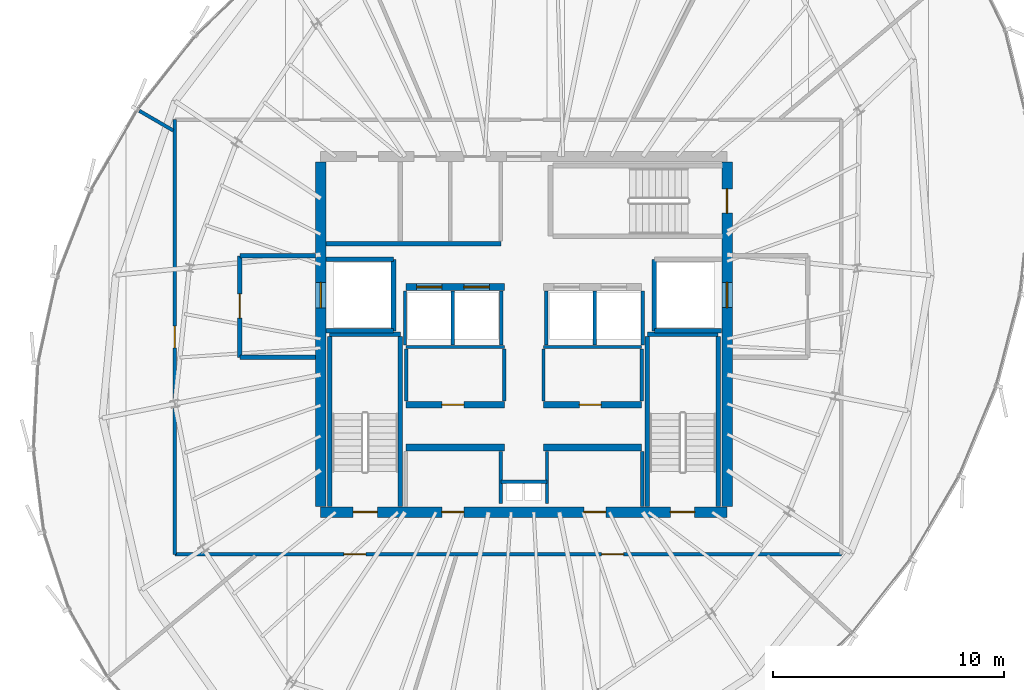
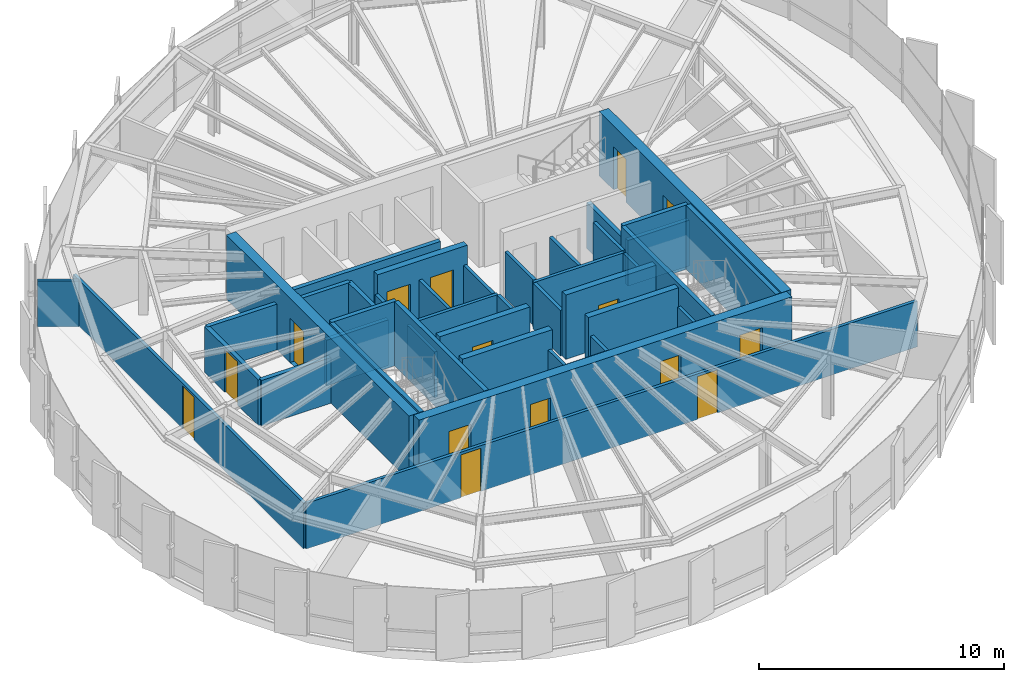
# One storey, part 29 of 36: 42 walls, 15 doors, 15 openings.
"""IFC4 building model written with IfcOpenShell, lengths in metres."""

import ifcopenshell
import ifcopenshell.guid

model = None  # the IFC model being written
_history = None  # IfcOwnerHistory: only IFC2X3 demands one
_inside = {}  # id of a spatial element -> (the spatial element, [elements in it])
_under = {}  # id of a project, library or spatial element -> (it, [spatial elements below it])
_declared = {}  # id of a project -> (the project, [libraries it declares])
_typed = {}  # id of a type object -> (the type object, [elements of that type])
_made_of = {}  # id of a material, layer set ... -> (it, [elements and type objects made of it])


def new_model(schema):
    """Start an empty IFC model of exactly this schema.

    Asked for "IFC4X3", IfcOpenShell would pick the latest addendum, in which some entities
    have other attributes; the version numbers below select the first issue.
    IFC2X3 requires an IfcOwnerHistory on every rooted entity: one is made here for all.
    """
    global model, _history
    if schema == "IFC4X3":
        model = ifcopenshell.file(schema_version=(4, 3, 0, 0))
    else:
        model = ifcopenshell.file(schema=schema)
    _inside.clear()
    _under.clear()
    _declared.clear()
    _typed.clear()
    _made_of.clear()
    _history = None
    if model.schema == "IFC2X3":
        org = make("IfcOrganization", Name="unknown")
        user = make(
            "IfcPersonAndOrganization",
            ThePerson=make("IfcPerson", FamilyName="unknown"),
            TheOrganization=org,
        )
        app = make(
            "IfcApplication",
            ApplicationDeveloper=org,
            Version="unknown",
            ApplicationFullName="unknown",
            ApplicationIdentifier="unknown",
        )
        _history = make(
            "IfcOwnerHistory",
            OwningUser=user,
            OwningApplication=app,
            ChangeAction="ADDED",
            CreationDate=0,
        )
    return model


def make(cls, **values):
    """One entity of the class cls with the attributes given. An attribute that is None is left unset."""
    return model.create_entity(
        cls, **{name: value for name, value in values.items() if value is not None}
    )


def rooted(cls, **values):
    """An entity with a GlobalId (a new one), such as an element, a storey or a relation."""
    return make(cls, GlobalId=ifcopenshell.guid.new(), OwnerHistory=_history, **values)


def si_unit(unit_type, name, prefix=None):
    """IfcSIUnit, for example si_unit("LENGTHUNIT", "METRE", prefix="MILLI")."""
    return make("IfcSIUnit", UnitType=unit_type, Prefix=prefix, Name=name)


def assignment(units):
    """IfcUnitAssignment: the units of a project."""
    return None if units is None else make("IfcUnitAssignment", Units=units)


def point(xyz):
    """IfcCartesianPoint."""
    return None if xyz is None else make("IfcCartesianPoint", Coordinates=xyz)


def direction(xyz):
    """IfcDirection."""
    return None if xyz is None else make("IfcDirection", DirectionRatios=xyz)


def frame(location, z_axis=None, x_axis=None):
    """IfcAxis2Placement3D, a coordinate frame: its origin and axes. An axis left out is left unset."""
    return make(
        "IfcAxis2Placement3D",
        Location=point(location),
        Axis=direction(z_axis),
        RefDirection=direction(x_axis),
    )


def frame_2d(location, x_axis=None):
    """IfcAxis2Placement2D, a coordinate frame in the plane: its origin and x axis."""
    return make(
        "IfcAxis2Placement2D", Location=point(location), RefDirection=direction(x_axis)
    )


def origin():
    """The frame at (0, 0, 0) with its axes left unset."""
    return frame((0.0, 0.0, 0.0))


def place(relative_to, where):
    """IfcLocalPlacement: puts the frame where relative to a parent placement (None: the world)."""
    return make(
        "IfcLocalPlacement", PlacementRelTo=relative_to, RelativePlacement=where
    )


def context(
    kind, dimensions, precision=None, world=None, true_north=None, identifier=None
):
    """IfcGeometricRepresentationContext, for example the 3D "Model" context."""
    return make(
        "IfcGeometricRepresentationContext",
        ContextIdentifier=identifier,
        ContextType=kind,
        CoordinateSpaceDimension=dimensions,
        Precision=precision,
        WorldCoordinateSystem=world,
        TrueNorth=true_north,
    )


def subcontext(parent, identifier, kind, view, scale=None):
    """IfcGeometricRepresentationSubContext, for example "Body" below "Model"."""
    return make(
        "IfcGeometricRepresentationSubContext",
        ContextIdentifier=identifier,
        ContextType=kind,
        ParentContext=parent,
        TargetScale=scale,
        TargetView=view,
    )


def project(units=None, contexts=None):
    """IfcProject with its units and contexts."""
    return rooted(
        "IfcProject",
        Name="project",
        RepresentationContexts=contexts,
        UnitsInContext=assignment(units),
    )


def spatial(cls, under=None, at=None, **own):
    """A site, building, storey or space (cls), placed at a placement, below another one or the project."""
    s = rooted(cls, ObjectPlacement=at, **own)
    if under is not None:
        _under.setdefault(under.id(), (under, []))[1].append(s)
    return s


def profile(cls, at=None, kind="AREA", **sizes):
    """A parametric profile (cls). Its sizes go by their IFC names, for example OverallWidth=200.0."""
    return make(cls, ProfileType=kind, Position=at, **sizes)


def rectangle(**sizes):
    """IfcRectangleProfileDef."""
    return profile("IfcRectangleProfileDef", **sizes)


def extrude(swept, where, along, depth):
    """IfcExtrudedAreaSolid: the profile swept, set in the frame where, extruded along a direction by depth."""
    return make(
        "IfcExtrudedAreaSolid",
        SweptArea=swept,
        Position=where,
        ExtrudedDirection=direction(along),
        Depth=depth,
    )


def shape(context_of_items, identifier, shape_type, items):
    """IfcShapeRepresentation: the items that make up one representation, for example the "Body"."""
    return make(
        "IfcShapeRepresentation",
        ContextOfItems=context_of_items,
        RepresentationIdentifier=identifier,
        RepresentationType=shape_type,
        Items=items,
    )


def source(mapping_origin, context_of_items, identifier, shape_type, items):
    """IfcRepresentationMap: a shape defined once, which mapped items show again and again."""
    return make(
        "IfcRepresentationMap",
        MappingOrigin=mapping_origin,
        MappedRepresentation=shape(context_of_items, identifier, shape_type, items),
    )


def transform(
    local_origin,
    x_axis=None,
    y_axis=None,
    z_axis=None,
    scale=None,
    scale2=None,
    scale3=None,
    uniform=True,
):
    """IfcCartesianTransformationOperator3D, or its non-uniform kind. x_axis, y_axis, z_axis: its Axis1, 2, 3."""
    if uniform:
        return make(
            "IfcCartesianTransformationOperator3D",
            Axis1=direction(x_axis),
            Axis2=direction(y_axis),
            LocalOrigin=point(local_origin),
            Scale=scale,
            Axis3=direction(z_axis),
        )
    return make(
        "IfcCartesianTransformationOperator3DnonUniform",
        Axis1=direction(x_axis),
        Axis2=direction(y_axis),
        LocalOrigin=point(local_origin),
        Scale=scale,
        Axis3=direction(z_axis),
        Scale2=scale2,
        Scale3=scale3,
    )


def mapped(mapping_source, mapping_target):
    """IfcMappedItem: shows the shape of a source again, moved by a transform."""
    return make(
        "IfcMappedItem", MappingSource=mapping_source, MappingTarget=mapping_target
    )


def material(Name=None, Category=None):
    """IfcMaterial."""
    return make("IfcMaterial", Name=Name, Category=Category)


def layer(
    of_material, thickness, ventilated=None, Name=None, Category=None, Priority=None
):
    """IfcMaterialLayer: one layer of a wall or slab, of a material (None: an air gap)."""
    return make(
        "IfcMaterialLayer",
        Material=of_material,
        LayerThickness=thickness,
        IsVentilated=ventilated,
        Name=Name,
        Category=Category,
        Priority=Priority,
    )


def layer_set(layers, Name=None):
    """IfcMaterialLayerSet."""
    return make("IfcMaterialLayerSet", MaterialLayers=layers, LayerSetName=Name)


def made_of(thing, what):
    """Note that an element or type object is made of a material, layer set ...; save() writes the relation."""
    if what is not None:
        _made_of.setdefault(what.id(), (what, []))[1].append(thing)
    return thing


def type_object(cls, material=None, **own):
    """A type object (cls), such as IfcWallType, which elements share."""
    return made_of(rooted(cls, **own), material)


def element(
    cls,
    number,
    at=None,
    inside=None,
    cuts=None,
    type_object=None,
    material=None,
    context=None,
    identifier="Body",
    shape_type=None,
    held_by="IfcProductDefinitionShape",
    body=None,
    shapes=None,
    **own,
):
    """One element of the class cls, such as IfcWall. Its Tag is "e" and its number.

    at: its placement. inside: the storey or other place that contains it. cuts: it is an
    opening in that element (IfcRelVoidsElement). A single representation is given by context,
    identifier, shape_type and body (its items); several are given by shapes. held_by: the class
    of the entity that holds the representations. save() writes the other relations.
    """
    e = rooted(cls, Tag="e%d" % number, ObjectPlacement=at, **own)
    if body is not None:
        shapes = [shape(context, identifier, shape_type, body)]
    if shapes is not None:
        e.Representation = make(held_by, Representations=shapes)
    if inside is not None:
        _inside.setdefault(inside.id(), (inside, []))[1].append(e)
    if cuts is not None:
        rooted(
            "IfcRelVoidsElement", RelatingBuildingElement=cuts, RelatedOpeningElement=e
        )
    if type_object is not None:
        _typed.setdefault(type_object.id(), (type_object, []))[1].append(e)
    return made_of(e, material)


def fill(opening, filler):
    """IfcRelFillsElement: the door or window that sits in an opening."""
    return rooted(
        "IfcRelFillsElement",
        RelatingOpeningElement=opening,
        RelatedBuildingElement=filler,
    )


def aggregate(whole, parts):
    """IfcRelAggregates: a whole, such as a stair, and the parts it consists of."""
    return rooted("IfcRelAggregates", RelatingObject=whole, RelatedObjects=parts)


def save(model, path):
    """Write the relations noted so far, then the file.

    IfcRelAggregates (storeys below a building ...), IfcRelContainedInSpatialStructure (elements
    in a storey), IfcRelDefinesByType, IfcRelAssociatesMaterial and IfcRelDeclares: one each for
    every whole, place, type object, material and project.
    """
    for whole, parts in _under.values():
        aggregate(whole, parts)
    for where, things in _inside.values():
        rooted(
            "IfcRelContainedInSpatialStructure",
            RelatedElements=things,
            RelatingStructure=where,
        )
    for kind, things in _typed.values():
        rooted("IfcRelDefinesByType", RelatedObjects=things, RelatingType=kind)
    for what, things in _made_of.values():
        rooted("IfcRelAssociatesMaterial", RelatedObjects=things, RelatingMaterial=what)
    for by, libraries in _declared.values():
        rooted("IfcRelDeclares", RelatingContext=by, RelatedDefinitions=libraries)
    model.write(path)


model = new_model("IFC4")

# Units and contexts
model_context = context("Model", 3, precision=1e-05, world=origin(), true_north=direction((0.0, 1.0)))
body_context = subcontext(model_context, "Body", "Model", "MODEL_VIEW")
ifc_project = project(units=[si_unit("LENGTHUNIT", "METRE"), si_unit("AREAUNIT", "SQUARE_METRE"), si_unit("VOLUMEUNIT", "CUBIC_METRE"), si_unit("PLANEANGLEUNIT", "RADIAN"), si_unit("MASSUNIT", "GRAM", prefix="KILO"), si_unit("THERMODYNAMICTEMPERATUREUNIT", "KELVIN")], contexts=[model_context])

# Site, building, storey
site_placement = place(None, origin())
site = spatial("IfcSite", under=ifc_project, at=site_placement, CompositionType="ELEMENT")
building_placement = place(site_placement, origin())
building = spatial("IfcBuilding", under=site, at=building_placement, Name="Kethvar Cultural Tower", CompositionType="ELEMENT")
storey_placement = place(building_placement, frame((0.0, 0.0, 228.39990234375)))
storey = spatial("IfcBuildingStorey", under=building, at=storey_placement, Name="L59", CompositionType="ELEMENT", Elevation=228.39990234375)

# Wall, openings, doors
ifc_material_1 = material(Name="Concrete C50/60", Category="concrete")
ifc_layer_1 = layer(ifc_material_1, 0.449951171875, Name="Concrete C50/60", Category="concrete")
ifc_layer_set_1 = layer_set([ifc_layer_1], Name="Concrete C50/60 (450 mm)")
wall_type_1 = type_object("IfcWallType", Name="WL-CORE-450", PredefinedType="SHEAR", material=ifc_layer_set_1)
wall_1_placement = place(storey_placement, frame((38.0, 20.10009765625, 0.0), z_axis=(0.0, 0.0, 1.0), x_axis=(1.0, 0.0, 0.0)))
wall_1 = element("IfcWall", 1, at=wall_1_placement, inside=storey, type_object=wall_type_1, Name="L59 Core Shear Wall S", PredefinedType="SHEAR", context=body_context, shape_type="SweptSolid", body=[
    extrude(rectangle(XDim=17.60009765625, YDim=0.449951171875, at=frame_2d((8.800048828125, 0.0))), origin(), (0.0, 0.0, 1.0), 3.210205078125),
])
opening_1_placement = place(wall_1_placement, frame((1.39990234375, 0.0, 0.0)))
opening_1 = element("IfcOpeningElement", 2, at=opening_1_placement, cuts=wall_1, Name="Opening D-L59-S1", PredefinedType="OPENING", context=body_context, shape_type="SweptSolid", body=[
    extrude(rectangle(XDim=1.050048828125, YDim=2.14990234375, at=frame_2d((0.52490234375, 1.074951171875))), frame((0.0, 0.23486328125, 0.0), z_axis=(0.0, -1.0, 0.0), x_axis=(1.0, 0.0, 0.0)), (0.0, 0.0, 1.0), 0.469970703125),
])
opening_2_placement = place(wall_1_placement, frame((15.14990234375, 0.0, 0.0)))
opening_2 = element("IfcOpeningElement", 3, at=opening_2_placement, cuts=wall_1, Name="Opening D-L59-ST2", PredefinedType="OPENING", context=body_context, shape_type="SweptSolid", body=[
    extrude(rectangle(XDim=1.050048828125, YDim=2.14990234375, at=frame_2d((0.52490234375, 1.074951171875))), frame((0.0, 0.23486328125, 0.0), z_axis=(0.0, -1.0, 0.0), x_axis=(1.0, 0.0, 0.0)), (0.0, 0.0, 1.0), 0.469970703125),
])
opening_3_placement = place(wall_1_placement, frame((5.25, 0.0, 0.0)))
opening_3 = element("IfcOpeningElement", 4, at=opening_3_placement, cuts=wall_1, Name="Opening D-L59-V1", PredefinedType="OPENING", context=body_context, shape_type="SweptSolid", body=[
    extrude(rectangle(XDim=0.949951171875, YDim=2.14990234375, at=frame_2d((0.47509765625, 1.074951171875))), frame((0.0, 0.23486328125, 0.0), z_axis=(0.0, -1.0, 0.0), x_axis=(1.0, 0.0, 0.0)), (0.0, 0.0, 1.0), 0.469970703125),
])
opening_4_placement = place(wall_1_placement, frame((11.39990234375, 0.0, 0.0)))
opening_4 = element("IfcOpeningElement", 5, at=opening_4_placement, cuts=wall_1, Name="Opening D-L59-V2", PredefinedType="OPENING", context=body_context, shape_type="SweptSolid", body=[
    extrude(rectangle(XDim=0.949951171875, YDim=2.14990234375, at=frame_2d((0.47509765625, 1.074951171875))), frame((0.0, 0.23486328125, 0.0), z_axis=(0.0, -1.0, 0.0), x_axis=(1.0, 0.0, 0.0)), (0.0, 0.0, 1.0), 0.469970703125),
])
ifc_material_2 = material(Name="Steel S355J2", Category="steel")
door_type_1 = type_object("IfcDoorType", Name="DR-FD60-1050", OperationType="NOTDEFINED", PredefinedType="DOOR", material=ifc_material_2)
shared_shape_1 = source(origin(), body_context, "Body", "SweptSolid", [
    extrude(rectangle(XDim=1.050048828125, YDim=2.14990234375, at=frame_2d((0.52490234375, 1.074951171875))), frame((0.0, 0.02490234375, 0.0), z_axis=(0.0, -1.0, 0.0), x_axis=(1.0, 0.0, 0.0)), (0.0, 0.0, 1.0), 0.050048828125),
])
door_1_placement = place(opening_1_placement, origin())
door_1 = element("IfcDoor", 6, at=door_1_placement, inside=storey, type_object=door_type_1, Name="L59 Exit Stair 1 Door", OperationType="SINGLE_SWING_LEFT", OverallHeight=2.14990234375, OverallWidth=1.050048828125, PredefinedType="DOOR", context=body_context, shape_type="MappedRepresentation", body=[
    mapped(shared_shape_1, transform((0.0, 0.0, 0.0), scale=1.0)),
])
fill(opening_1, door_1)
door_2_placement = place(opening_2_placement, origin())
door_2 = element("IfcDoor", 7, at=door_2_placement, inside=storey, type_object=door_type_1, Name="L59 Exit Stair 2 Door", OperationType="SINGLE_SWING_RIGHT", OverallHeight=2.14990234375, OverallWidth=1.050048828125, PredefinedType="DOOR", context=body_context, shape_type="MappedRepresentation", body=[
    mapped(shared_shape_1, transform((0.0, 0.0, 0.0), scale=1.0)),
])
fill(opening_2, door_2)
ifc_material_3 = material(Name="Architectural Oak Timber", Category="wood")
door_type_2 = type_object("IfcDoorType", Name="DR-FD30-950", OperationType="NOTDEFINED", PredefinedType="DOOR", material=ifc_material_3)
shared_shape_2 = source(origin(), body_context, "Body", "SweptSolid", [
    extrude(rectangle(XDim=0.949951171875, YDim=2.14990234375, at=frame_2d((0.47509765625, 1.074951171875))), frame((0.0, 0.02490234375, 0.0), z_axis=(0.0, -1.0, 0.0), x_axis=(1.0, 0.0, 0.0)), (0.0, 0.0, 1.0), 0.050048828125),
])
door_3_placement = place(opening_3_placement, origin())
door_3 = element("IfcDoor", 8, at=door_3_placement, inside=storey, type_object=door_type_2, Name="L59 Reclaimed West Room Door", OperationType="SINGLE_SWING_LEFT", OverallHeight=2.14990234375, OverallWidth=0.949951171875, PredefinedType="DOOR", context=body_context, shape_type="MappedRepresentation", body=[
    mapped(shared_shape_2, transform((0.0, 0.0, 0.0), scale=1.0)),
])
fill(opening_3, door_3)
door_4_placement = place(opening_4_placement, origin())
door_4 = element("IfcDoor", 9, at=door_4_placement, inside=storey, type_object=door_type_2, Name="L59 Reclaimed East Room Door", OperationType="SINGLE_SWING_RIGHT", OverallHeight=2.14990234375, OverallWidth=0.949951171875, PredefinedType="DOOR", context=body_context, shape_type="MappedRepresentation", body=[
    mapped(shared_shape_2, transform((0.0, 0.0, 0.0), scale=1.0)),
])
fill(opening_4, door_4)

# Wall, opening, door
wall_2_placement = place(storey_placement, frame((38.0, 35.260009765625, 0.0), z_axis=(0.0, 0.0, 1.0), x_axis=(0.0, -1.0, 0.0)))
wall_2 = element("IfcWall", 10, at=wall_2_placement, inside=storey, type_object=wall_type_1, Name="L59 Core Shear Wall W", PredefinedType="SHEAR", context=body_context, shape_type="SweptSolid", body=[
    extrude(rectangle(XDim=14.919921875, YDim=0.449951171875, at=frame_2d((7.4599609375, 0.0))), origin(), (0.0, 0.0, 1.0), 3.210205078125),
])
opening_5_placement = place(wall_2_placement, frame((5.2099609375, 0.0, 0.0)))
opening_5 = element("IfcOpeningElement", 11, at=opening_5_placement, cuts=wall_2, Name="Opening LD-1", PredefinedType="OPENING", context=body_context, shape_type="SweptSolid", body=[
    extrude(rectangle(XDim=1.10009765625, YDim=2.199951171875, at=frame_2d((0.550048828125, 1.10009765625))), frame((0.0, 0.23486328125, 0.0), z_axis=(0.0, -1.0, 0.0), x_axis=(1.0, 0.0, 0.0)), (0.0, 0.0, 1.0), 0.469970703125),
])
door_type_3 = type_object("IfcDoorType", Name="DR-LIFT-SLIDE-1100", OperationType="NOTDEFINED", PredefinedType="DOOR", material=ifc_material_2)
shared_shape_3 = source(origin(), body_context, "Body", "SweptSolid", [
    extrude(rectangle(XDim=1.10009765625, YDim=2.199951171875, at=frame_2d((0.550048828125, 1.10009765625))), frame((0.0, 0.02490234375, 0.0), z_axis=(0.0, -1.0, 0.0), x_axis=(1.0, 0.0, 0.0)), (0.0, 0.0, 1.0), 0.050048828125),
])
door_5_placement = place(opening_5_placement, origin())
door_5 = element("IfcDoor", 12, at=door_5_placement, inside=storey, type_object=door_type_3, Name="L59 Firefighting Lift Landing Door FFL-01", OperationType="SLIDING_TO_LEFT", OverallHeight=2.199951171875, OverallWidth=1.10009765625, PredefinedType="DOOR", context=body_context, shape_type="MappedRepresentation", body=[
    mapped(shared_shape_3, transform((0.0, 0.0, 0.0), scale=1.0)),
])
fill(opening_5, door_5)

# Wall, openings, doors
wall_3_placement = place(storey_placement, frame((55.60009765625, 20.340087890625, 0.0), z_axis=(0.0, 0.0, 1.0), x_axis=(0.0, 1.0, 0.0)))
wall_3 = element("IfcWall", 13, at=wall_3_placement, inside=storey, type_object=wall_type_1, Name="L59 Core Shear Wall E", PredefinedType="SHEAR", context=body_context, shape_type="SweptSolid", body=[
    extrude(rectangle(XDim=14.919921875, YDim=0.449951171875, at=frame_2d((7.4599609375, 0.0))), origin(), (0.0, 0.0, 1.0), 3.210205078125),
])
opening_6_placement = place(wall_3_placement, frame((12.7099609375, 0.0, 0.0)))
opening_6 = element("IfcOpeningElement", 14, at=opening_6_placement, cuts=wall_3, Name="Opening D-L59-S3", PredefinedType="OPENING", context=body_context, shape_type="SweptSolid", body=[
    extrude(rectangle(XDim=1.050048828125, YDim=2.14990234375, at=frame_2d((0.52490234375, 1.074951171875))), frame((0.0, 0.23486328125, 0.0), z_axis=(0.0, -1.0, 0.0), x_axis=(1.0, 0.0, 0.0)), (0.0, 0.0, 1.0), 0.469970703125),
])
opening_7_placement = place(wall_3_placement, frame((8.610107421875, 0.0, 0.0)))
opening_7 = element("IfcOpeningElement", 15, at=opening_7_placement, cuts=wall_3, Name="Opening LD-2", PredefinedType="OPENING", context=body_context, shape_type="SweptSolid", body=[
    extrude(rectangle(XDim=1.10009765625, YDim=2.199951171875, at=frame_2d((0.550048828125, 1.10009765625))), frame((0.0, 0.23486328125, 0.0), z_axis=(0.0, -1.0, 0.0), x_axis=(1.0, 0.0, 0.0)), (0.0, 0.0, 1.0), 0.469970703125),
])
door_6_placement = place(opening_6_placement, origin())
door_6 = element("IfcDoor", 16, at=door_6_placement, inside=storey, type_object=door_type_1, Name="L59 Exit Stair 3 Door", OperationType="SINGLE_SWING_LEFT", OverallHeight=2.14990234375, OverallWidth=1.050048828125, PredefinedType="DOOR", context=body_context, shape_type="MappedRepresentation", body=[
    mapped(shared_shape_1, transform((0.0, 0.0, 0.0), scale=1.0)),
])
fill(opening_6, door_6)
door_7_placement = place(opening_7_placement, origin())
door_7 = element("IfcDoor", 17, at=door_7_placement, inside=storey, type_object=door_type_3, Name="L59 Firefighting Lift Landing Door FFL-02", OperationType="SLIDING_TO_RIGHT", OverallHeight=2.199951171875, OverallWidth=1.10009765625, PredefinedType="DOOR", context=body_context, shape_type="MappedRepresentation", body=[
    mapped(shared_shape_3, transform((0.0, 0.0, 0.0), scale=1.0)),
])
fill(opening_7, door_7)

# Walls
ifc_material_4 = material(Name="Gypsum Fireboard Partition")
ifc_layer_2 = layer(ifc_material_4, 0.14990234375, Name="Gypsum Fireboard Partition")
ifc_layer_set_2 = layer_set([ifc_layer_2], Name="Gypsum Fireboard Partition (150 mm)")
wall_type_2 = type_object("IfcWallType", Name="WL-FIRE-150", PredefinedType="PARTITIONING", material=ifc_layer_set_2)
wall_4_placement = place(storey_placement, frame((45.800048828125, 21.419921875, 0.0), z_axis=(0.0, 0.0, 1.0), x_axis=(1.0, 0.0, 0.0)))
element("IfcWall", 18, at=wall_4_placement, inside=storey, type_object=wall_type_2, Name="L59 Core Riser Wall", PredefinedType="PARTITIONING", context=body_context, shape_type="SweptSolid", body=[
    extrude(rectangle(XDim=2.0, YDim=0.14990234375, at=frame_2d((1.0, 0.0))), origin(), (0.0, 0.0, 1.0), 2.280029296875),
])
for number, where, z_axis, x_axis, name in (
    (19, (45.800048828125, 20.47998046875, 0.0), (0.0, 0.0, 1.0), (0.0, 1.0, 0.0), "L59 Core Riser West Wall"),
    (20, (47.800048828125, 20.47998046875, 0.0), (0.0, 0.0, 1.0), (0.0, 1.0, 0.0), "L59 Core Riser East Wall"),
):
    element("IfcWall", number, at=place(storey_placement, frame(where, z_axis=z_axis, x_axis=x_axis)), inside=storey, type_object=wall_type_2, Name=name, PredefinedType="PARTITIONING", context=body_context, shape_type="SweptSolid", body=[
        extrude(rectangle(XDim=2.239990234375, YDim=0.14990234375, at=frame_2d((1.1201171875, 0.0))), origin(), (0.0, 0.0, 1.0), 2.280029296875),
    ])
wall_5_placement = place(storey_placement, frame((51.919921875, 20.3349609375, 0.0), z_axis=(0.0, 0.0, 1.0), x_axis=(0.0, 1.0, 0.0)))
element("IfcWall", 21, at=wall_5_placement, inside=storey, type_object=wall_type_2, Name="L59 Reclaimed East Outer Wall", PredefinedType="PARTITIONING", context=body_context, shape_type="SweptSolid", body=[
    extrude(rectangle(XDim=2.39501953125, YDim=0.14990234375, at=frame_2d((1.197509765625, 0.0))), origin(), (0.0, 0.0, 1.0), 2.280029296875),
])
for number, where, z_axis, x_axis, name in (
    (22, (41.699951171875, 27.25, 0.0), (0.0, 0.0, 1.0), (1.0, 0.0, 0.0), "L59 Reclaimed Mid Wall W"),
    (23, (47.64990234375, 27.25, 0.0), (0.0, 0.0, 1.0), (1.0, 0.0, 0.0), "L59 Reclaimed Mid Wall E"),
):
    element("IfcWall", number, at=place(storey_placement, frame(where, z_axis=z_axis, x_axis=x_axis)), inside=storey, type_object=wall_type_2, Name=name, PredefinedType="PARTITIONING", context=body_context, shape_type="SweptSolid", body=[
        extrude(rectangle(XDim=4.25, YDim=0.14990234375, at=frame_2d((2.125, 0.0))), origin(), (0.0, 0.0, 1.0), 2.280029296875),
    ])
for number, where, z_axis, x_axis, name in (
    (24, (41.699951171875, 24.919921875, 0.0), (0.0, 0.0, 1.0), (0.0, 1.0, 0.0), "L59 Reclaimed Mid Outer W"),
    (25, (45.949951171875, 24.919921875, 0.0), (0.0, 0.0, 1.0), (0.0, 1.0, 0.0), "L59 Reclaimed Mid Spine W"),
    (26, (47.64990234375, 24.919921875, 0.0), (0.0, 0.0, 1.0), (0.0, 1.0, 0.0), "L59 Reclaimed Mid Spine E"),
    (27, (51.89990234375, 24.919921875, 0.0), (0.0, 0.0, 1.0), (0.0, 1.0, 0.0), "L59 Reclaimed Mid Outer E"),
):
    element("IfcWall", number, at=place(storey_placement, frame(where, z_axis=z_axis, x_axis=x_axis)), inside=storey, type_object=wall_type_2, Name=name, PredefinedType="PARTITIONING", context=body_context, shape_type="SweptSolid", body=[
        extrude(rectangle(XDim=2.239990234375, YDim=0.14990234375, at=frame_2d((1.1201171875, 0.0))), origin(), (0.0, 0.0, 1.0), 2.280029296875),
    ])
for number, where, z_axis, x_axis, name in (
    (28, (41.64990234375, 27.340087890625, 0.0), (0.0, 0.0, 1.0), (0.0, 1.0, 0.0), "L59 High-Rise Lift Shaft Outer Wall W"),
    (29, (43.72509765625, 27.340087890625, 0.0), (0.0, 0.0, 1.0), (0.0, 1.0, 0.0), "L59 High-Rise Lift Shaft Divider W"),
    (30, (45.824951171875, 27.340087890625, 0.0), (0.0, 0.0, 1.0), (0.0, 1.0, 0.0), "L59 High-Rise Lift Shaft Concourse Wall W"),
    (31, (47.77490234375, 27.340087890625, 0.0), (0.0, 0.0, 1.0), (0.0, 1.0, 0.0), "L59 High-Rise Lift Shaft Concourse Wall E"),
    (32, (49.875, 27.340087890625, 0.0), (0.0, 0.0, 1.0), (0.0, 1.0, 0.0), "L59 High-Rise Lift Shaft Divider E"),
    (33, (51.949951171875, 27.340087890625, 0.0), (0.0, 0.0, 1.0), (0.0, 1.0, 0.0), "L59 High-Rise Lift Shaft Outer Wall E"),
):
    element("IfcWall", number, at=place(storey_placement, frame(where, z_axis=z_axis, x_axis=x_axis)), inside=storey, type_object=wall_type_2, Name=name, PredefinedType="PARTITIONING", context=body_context, shape_type="SweptSolid", body=[
        extrude(rectangle(XDim=2.33984375, YDim=0.14990234375, at=frame_2d((1.169921875, 0.0))), origin(), (0.0, 0.0, 1.0), 2.280029296875),
    ])

# Wall, openings, doors
wall_6_placement = place(storey_placement, frame((31.679931640625, 18.26904296875, 0.0), z_axis=(0.0, 0.0, 1.0), x_axis=(1.0, 0.0, 0.0)))
wall_6 = element("IfcWall", 34, at=wall_6_placement, inside=storey, type_object=wall_type_2, Name="L59 Corridor Rated Wall S", PredefinedType="PARTITIONING", context=body_context, shape_type="SweptSolid", body=[
    extrude(rectangle(XDim=28.8701171875, YDim=0.14990234375, at=frame_2d((14.43505859375, 0.0))), origin(), (0.0, 0.0, 1.0), 2.280029296875),
])
opening_8_placement = place(wall_6_placement, frame((7.32421875, 0.0, 0.0)))
opening_8 = element("IfcOpeningElement", 35, at=opening_8_placement, cuts=wall_6, Name="Opening D-L59-01", PredefinedType="OPENING", context=body_context, shape_type="SweptSolid", body=[
    extrude(rectangle(XDim=0.949951171875, YDim=2.14990234375, at=frame_2d((0.47509765625, 1.074951171875))), frame((0.0, 0.0849609375, 0.0), z_axis=(0.0, -1.0, 0.0), x_axis=(1.0, 0.0, 0.0)), (0.0, 0.0, 1.0), 0.169921875),
])
opening_9_placement = place(wall_6_placement, frame((18.489501953125, 0.0, 0.0)))
opening_9 = element("IfcOpeningElement", 36, at=opening_9_placement, cuts=wall_6, Name="Opening D-L59-02", PredefinedType="OPENING", context=body_context, shape_type="SweptSolid", body=[
    extrude(rectangle(XDim=0.949951171875, YDim=2.14990234375, at=frame_2d((0.47509765625, 1.074951171875))), frame((0.0, 0.0849609375, 0.0), z_axis=(0.0, -1.0, 0.0), x_axis=(1.0, 0.0, 0.0)), (0.0, 0.0, 1.0), 0.169921875),
])
door_8_placement = place(opening_8_placement, origin())
door_8 = element("IfcDoor", 37, at=door_8_placement, inside=storey, type_object=door_type_2, Name="L59 Visitor Reception 01 Door", OperationType="SINGLE_SWING_RIGHT", OverallHeight=2.14990234375, OverallWidth=0.949951171875, PredefinedType="DOOR", context=body_context, shape_type="MappedRepresentation", body=[
    mapped(shared_shape_2, transform((0.0, 0.0, 0.0), scale=1.0)),
])
fill(opening_8, door_8)
door_9_placement = place(opening_9_placement, origin())
door_9 = element("IfcDoor", 38, at=door_9_placement, inside=storey, type_object=door_type_2, Name="L59 Academic Study Lounge 02 Door", OperationType="SINGLE_SWING_LEFT", OverallHeight=2.14990234375, OverallWidth=0.949951171875, PredefinedType="DOOR", context=body_context, shape_type="MappedRepresentation", body=[
    mapped(shared_shape_2, transform((0.0, 0.0, 0.0), scale=1.0)),
])
fill(opening_9, door_9)

# Wall, opening, door
wall_7_placement = place(storey_placement, frame((31.679931640625, 37.10009765625, 0.0), z_axis=(0.0, 0.0, 1.0), x_axis=(0.0, -1.0, 0.0)))
wall_7 = element("IfcWall", 39, at=wall_7_placement, inside=storey, type_object=wall_type_2, Name="L59 Corridor Rated Wall W", PredefinedType="PARTITIONING", context=body_context, shape_type="SweptSolid", body=[
    extrude(rectangle(XDim=18.8310546875, YDim=0.14990234375, at=frame_2d((9.41552734375, 0.0))), origin(), (0.0, 0.0, 1.0), 2.280029296875),
])
opening_10_placement = place(wall_7_placement, frame((8.9404296875, 0.0, 0.0)))
opening_10 = element("IfcOpeningElement", 40, at=opening_10_placement, cuts=wall_7, Name="Opening D-L59-07", PredefinedType="OPENING", context=body_context, shape_type="SweptSolid", body=[
    extrude(rectangle(XDim=0.949951171875, YDim=2.14990234375, at=frame_2d((0.47509765625, 1.074951171875))), frame((0.0, 0.0849609375, 0.0), z_axis=(0.0, -1.0, 0.0), x_axis=(1.0, 0.0, 0.0)), (0.0, 0.0, 1.0), 0.169921875),
])
door_10_placement = place(opening_10_placement, origin())
door_10 = element("IfcDoor", 41, at=door_10_placement, inside=storey, type_object=door_type_2, Name="L59 Curatorial Staff Room 07 Door", OperationType="SINGLE_SWING_RIGHT", OverallHeight=2.14990234375, OverallWidth=0.949951171875, PredefinedType="DOOR", context=body_context, shape_type="MappedRepresentation", body=[
    mapped(shared_shape_2, transform((0.0, 0.0, 0.0), scale=1.0)),
])
fill(opening_10, door_10)

# Walls
ifc_material_5 = material(Name="Concrete C40/50", Category="concrete")
ifc_layer_3 = layer(ifc_material_5, 0.199951171875, Name="Concrete C40/50", Category="concrete")
ifc_layer_set_3 = layer_set([ifc_layer_3], Name="Concrete C40/50 (200 mm)")
wall_type_3 = type_object("IfcWallType", Name="WL-FIRE-200", PredefinedType="PARTITIONING", material=ifc_layer_set_3)
wall_8_placement = place(storey_placement, frame((41.14990234375, 27.949951171875, 0.0), z_axis=(0.0, 0.0, 1.0), x_axis=(0.0, 1.0, 0.0)))
element("IfcWall", 42, at=wall_8_placement, inside=storey, type_object=wall_type_3, Name="L59 FFL-01 Shaft Inner Wall", PredefinedType="PARTITIONING", context=body_context, shape_type="SweptSolid", body=[
    extrude(rectangle(XDim=3.10009765625, YDim=0.199951171875, at=frame_2d((1.550048828125, 0.0))), origin(), (0.0, 0.0, 1.0), 2.280029296875),
])
for number, where, z_axis, x_axis, name in (
    (43, (38.235107421875, 27.949951171875, 0.0), (0.0, 0.0, 1.0), (1.0, 0.0, 0.0), "L59 FFL-01 Shaft South Wall"),
    (44, (38.235107421875, 31.050048828125, 0.0), (0.0, 0.0, 1.0), (1.0, 0.0, 0.0), "L59 FFL-01 Shaft North Wall"),
):
    element("IfcWall", number, at=place(storey_placement, frame(where, z_axis=z_axis, x_axis=x_axis)), inside=storey, type_object=wall_type_3, Name=name, PredefinedType="PARTITIONING", context=body_context, shape_type="SweptSolid", body=[
        extrude(rectangle(XDim=2.914794921875, YDim=0.199951171875, at=frame_2d((1.45751953125, 0.0))), origin(), (0.0, 0.0, 1.0), 2.280029296875),
    ])

# Wall, opening, door
wall_9_placement = place(storey_placement, frame((34.5, 31.199951171875, 0.0), z_axis=(0.0, 0.0, 1.0), x_axis=(0.0, -1.0, 0.0)))
wall_9 = element("IfcWall", 45, at=wall_9_placement, inside=storey, type_object=wall_type_3, Name="L59 Firefighting Lobby 1 Wall", PredefinedType="PARTITIONING", context=body_context, shape_type="SweptSolid", body=[
    extrude(rectangle(XDim=4.39990234375, YDim=0.199951171875, at=frame_2d((2.199951171875, 0.0))), origin(), (0.0, 0.0, 1.0), 2.280029296875),
])
opening_11_placement = place(wall_9_placement, frame((1.64990234375, 0.0, 0.0)))
opening_11 = element("IfcOpeningElement", 46, at=opening_11_placement, cuts=wall_9, Name="Opening D-L59-F1", PredefinedType="OPENING", context=body_context, shape_type="SweptSolid", body=[
    extrude(rectangle(XDim=1.050048828125, YDim=2.14990234375, at=frame_2d((0.52490234375, 1.074951171875))), frame((0.0, 0.10986328125, 0.0), z_axis=(0.0, -1.0, 0.0), x_axis=(1.0, 0.0, 0.0)), (0.0, 0.0, 1.0), 0.219970703125),
])
door_11_placement = place(opening_11_placement, origin())
door_11 = element("IfcDoor", 47, at=door_11_placement, inside=storey, type_object=door_type_1, Name="L59 Firefighting Lobby 1 Fire Door", OperationType="SINGLE_SWING_LEFT", OverallHeight=2.14990234375, OverallWidth=1.050048828125, PredefinedType="DOOR", context=body_context, shape_type="MappedRepresentation", body=[
    mapped(shared_shape_1, transform((0.0, 0.0, 0.0), scale=1.0)),
])
fill(opening_11, door_11)

# Walls
for number, where, z_axis, x_axis, name in (
    (48, (34.5, 26.800048828125, 0.0), (0.0, 0.0, 1.0), (1.0, 0.0, 0.0), "L59 FF Lobby 1 South Wall"),
    (49, (34.5, 31.199951171875, 0.0), (0.0, 0.0, 1.0), (1.0, 0.0, 0.0), "L59 FF Lobby 1 North Wall"),
):
    element("IfcWall", number, at=place(storey_placement, frame(where, z_axis=z_axis, x_axis=x_axis)), inside=storey, type_object=wall_type_3, Name=name, PredefinedType="PARTITIONING", context=body_context, shape_type="SweptSolid", body=[
        extrude(rectangle(XDim=3.264892578125, YDim=0.199951171875, at=frame_2d((1.63232421875, 0.0))), origin(), (0.0, 0.0, 1.0), 2.280029296875),
    ])
wall_10_placement = place(storey_placement, frame((52.449951171875, 27.949951171875, 0.0), z_axis=(0.0, 0.0, 1.0), x_axis=(0.0, 1.0, 0.0)))
element("IfcWall", 50, at=wall_10_placement, inside=storey, type_object=wall_type_3, Name="L59 FFL-02 Shaft Inner Wall", PredefinedType="PARTITIONING", context=body_context, shape_type="SweptSolid", body=[
    extrude(rectangle(XDim=3.10009765625, YDim=0.199951171875, at=frame_2d((1.550048828125, 0.0))), origin(), (0.0, 0.0, 1.0), 2.280029296875),
])
wall_11_placement = place(storey_placement, frame((52.449951171875, 27.949951171875, 0.0), z_axis=(0.0, 0.0, 1.0), x_axis=(1.0, 0.0, 0.0)))
element("IfcWall", 51, at=wall_11_placement, inside=storey, type_object=wall_type_3, Name="L59 FFL-02 Shaft South Wall", PredefinedType="PARTITIONING", context=body_context, shape_type="SweptSolid", body=[
    extrude(rectangle(XDim=2.9150390625, YDim=0.199951171875, at=frame_2d((1.45751953125, 0.0))), origin(), (0.0, 0.0, 1.0), 2.280029296875),
])
wall_12_placement = place(storey_placement, frame((38.235107421875, 31.72998046875, 0.0), z_axis=(0.0, 0.0, 1.0), x_axis=(1.0, 0.0, 0.0)))
element("IfcWall", 52, at=wall_12_placement, inside=storey, type_object=wall_type_3, Name="L59 North Core Sanitary South Wall", PredefinedType="PARTITIONING", context=body_context, shape_type="SweptSolid", body=[
    extrude(rectangle(XDim=7.56494140625, YDim=0.199951171875, at=frame_2d((3.782470703125, 0.0))), origin(), (0.0, 0.0, 1.0), 2.280029296875),
])
ifc_material_6 = material(Name="Gypsum Acoustic Partition")
ifc_layer_4 = layer(ifc_material_6, 0.14990234375, Name="Gypsum Acoustic Partition")
ifc_layer_set_4 = layer_set([ifc_layer_4], Name="Gypsum Acoustic Partition (150 mm)")
wall_type_4 = type_object("IfcWallType", Name="WL-PART-150", PredefinedType="PARTITIONING", material=ifc_layer_set_4)
wall_13_placement = place(storey_placement, frame((31.61083984375, 36.62646484375, 0.0), z_axis=(0.0, 0.0, 1.0), x_axis=(-0.864534817788, 0.502572928869, 0.0)))
element("IfcWall", 53, at=wall_13_placement, inside=storey, type_object=wall_type_4, Name="L59 Radial Partition Wall 07", PredefinedType="PARTITIONING", context=body_context, shape_type="SweptSolid", body=[
    extrude(rectangle(XDim=1.6962890625, YDim=0.14990234375, at=frame_2d((0.84814453125, 0.0))), origin(), (0.0, 0.0, 1.0), 2.280029296875),
])
ifc_layer_5 = layer(ifc_material_1, 0.300048828125, Name="Concrete C50/60", Category="concrete")
ifc_layer_set_5 = layer_set([ifc_layer_5], Name="Concrete C50/60 (300 mm)")
wall_type_5 = type_object("IfcWallType", Name="WL-SHAFT-300", PredefinedType="SHEAR", material=ifc_layer_set_5)
for number, where, z_axis, x_axis, name in (
    (54, (41.699951171875, 22.89990234375, 0.0), (0.0, 0.0, 1.0), (1.0, 0.0, 0.0), "L59 Core Lift Spine Wall MID1W"),
    (55, (47.64990234375, 22.89990234375, 0.0), (0.0, 0.0, 1.0), (1.0, 0.0, 0.0), "L59 Core Lift Spine Wall MID1E"),
):
    element("IfcWall", number, at=place(storey_placement, frame(where, z_axis=z_axis, x_axis=x_axis)), inside=storey, type_object=wall_type_5, Name=name, PredefinedType="SHEAR", context=body_context, shape_type="SweptSolid", body=[
        extrude(rectangle(XDim=4.25, YDim=0.300048828125, at=frame_2d((2.125, 0.0))), origin(), (0.0, 0.0, 1.0), 3.210205078125),
    ])

# Wall, opening, door
wall_14_placement = place(storey_placement, frame((41.699951171875, 24.75, 0.0), z_axis=(0.0, 0.0, 1.0), x_axis=(1.0, 0.0, 0.0)))
wall_14 = element("IfcWall", 56, at=wall_14_placement, inside=storey, type_object=wall_type_5, Name="L59 Core Lift Spine Wall MID2W", PredefinedType="SHEAR", context=body_context, shape_type="SweptSolid", body=[
    extrude(rectangle(XDim=4.25, YDim=0.300048828125, at=frame_2d((2.125, 0.0))), origin(), (0.0, 0.0, 1.0), 3.210205078125),
])
opening_12_placement = place(wall_14_placement, frame((1.550048828125, 0.0, 0.0)))
opening_12 = element("IfcOpeningElement", 57, at=opening_12_placement, cuts=wall_14, Name="Opening D-L59-M1", PredefinedType="OPENING", context=body_context, shape_type="SweptSolid", body=[
    extrude(rectangle(XDim=0.949951171875, YDim=2.14990234375, at=frame_2d((0.47509765625, 1.074951171875))), frame((0.0, 0.159912109375, 0.0), z_axis=(0.0, -1.0, 0.0), x_axis=(1.0, 0.0, 0.0)), (0.0, 0.0, 1.0), 0.320068359375),
])
door_12_placement = place(opening_12_placement, origin())
door_12 = element("IfcDoor", 58, at=door_12_placement, inside=storey, type_object=door_type_2, Name="L59 Mid West Room Door", OperationType="SINGLE_SWING_LEFT", OverallHeight=2.14990234375, OverallWidth=0.949951171875, PredefinedType="DOOR", context=body_context, shape_type="MappedRepresentation", body=[
    mapped(shared_shape_2, transform((0.0, 0.0, 0.0), scale=1.0)),
])
fill(opening_12, door_12)

wall_15_placement = place(storey_placement, frame((47.64990234375, 24.75, 0.0), z_axis=(0.0, 0.0, 1.0), x_axis=(1.0, 0.0, 0.0)))
wall_15 = element("IfcWall", 59, at=wall_15_placement, inside=storey, type_object=wall_type_5, Name="L59 Core Lift Spine Wall MID2E", PredefinedType="SHEAR", context=body_context, shape_type="SweptSolid", body=[
    extrude(rectangle(XDim=4.25, YDim=0.300048828125, at=frame_2d((2.125, 0.0))), origin(), (0.0, 0.0, 1.0), 3.210205078125),
])
opening_13_placement = place(wall_15_placement, frame((1.550048828125, 0.0, 0.0)))
opening_13 = element("IfcOpeningElement", 60, at=opening_13_placement, cuts=wall_15, Name="Opening D-L59-M2", PredefinedType="OPENING", context=body_context, shape_type="SweptSolid", body=[
    extrude(rectangle(XDim=0.949951171875, YDim=2.14990234375, at=frame_2d((0.47509765625, 1.074951171875))), frame((0.0, 0.159912109375, 0.0), z_axis=(0.0, -1.0, 0.0), x_axis=(1.0, 0.0, 0.0)), (0.0, 0.0, 1.0), 0.320068359375),
])
door_13_placement = place(opening_13_placement, origin())
door_13 = element("IfcDoor", 61, at=door_13_placement, inside=storey, type_object=door_type_2, Name="L59 Mid East Room Door", OperationType="SINGLE_SWING_RIGHT", OverallHeight=2.14990234375, OverallWidth=0.949951171875, PredefinedType="DOOR", context=body_context, shape_type="MappedRepresentation", body=[
    mapped(shared_shape_2, transform((0.0, 0.0, 0.0), scale=1.0)),
])
fill(opening_13, door_13)

# Wall, openings, doors
wall_16_placement = place(storey_placement, frame((41.699951171875, 29.85009765625, 0.0), z_axis=(0.0, 0.0, 1.0), x_axis=(1.0, 0.0, 0.0)))
wall_16 = element("IfcWall", 62, at=wall_16_placement, inside=storey, type_object=wall_type_5, Name="L59 Core Lift Spine Wall MID3W", PredefinedType="SHEAR", context=body_context, shape_type="SweptSolid", body=[
    extrude(rectangle(XDim=4.25, YDim=0.300048828125, at=frame_2d((2.125, 0.0))), origin(), (0.0, 0.0, 1.0), 3.210205078125),
])
opening_14_placement = place(wall_16_placement, frame((0.449951171875, 0.0, 0.0)))
opening_14 = element("IfcOpeningElement", 63, at=opening_14_placement, cuts=wall_16, Name="Opening LD-H1", PredefinedType="OPENING", context=body_context, shape_type="SweptSolid", body=[
    extrude(rectangle(XDim=1.10009765625, YDim=2.199951171875, at=frame_2d((0.550048828125, 1.10009765625))), frame((0.0, 0.159912109375, 0.0), z_axis=(0.0, -1.0, 0.0), x_axis=(1.0, 0.0, 0.0)), (0.0, 0.0, 1.0), 0.320068359375),
])
opening_15_placement = place(wall_16_placement, frame((2.5, 0.0, 0.0)))
opening_15 = element("IfcOpeningElement", 64, at=opening_15_placement, cuts=wall_16, Name="Opening LD-H2", PredefinedType="OPENING", context=body_context, shape_type="SweptSolid", body=[
    extrude(rectangle(XDim=1.10009765625, YDim=2.199951171875, at=frame_2d((0.550048828125, 1.10009765625))), frame((0.0, 0.159912109375, 0.0), z_axis=(0.0, -1.0, 0.0), x_axis=(1.0, 0.0, 0.0)), (0.0, 0.0, 1.0), 0.320068359375),
])
door_14_placement = place(opening_14_placement, origin())
door_14 = element("IfcDoor", 65, at=door_14_placement, inside=storey, type_object=door_type_3, Name="L59 High-Rise Lift Landing Door H1", OperationType="SLIDING_TO_LEFT", OverallHeight=2.199951171875, OverallWidth=1.10009765625, PredefinedType="DOOR", context=body_context, shape_type="MappedRepresentation", body=[
    mapped(shared_shape_3, transform((0.0, 0.0, 0.0), scale=1.0)),
])
fill(opening_14, door_14)
door_15_placement = place(opening_15_placement, origin())
door_15 = element("IfcDoor", 66, at=door_15_placement, inside=storey, type_object=door_type_3, Name="L59 High-Rise Lift Landing Door H2", OperationType="SLIDING_TO_LEFT", OverallHeight=2.199951171875, OverallWidth=1.10009765625, PredefinedType="DOOR", context=body_context, shape_type="MappedRepresentation", body=[
    mapped(shared_shape_3, transform((0.0, 0.0, 0.0), scale=1.0)),
])
fill(opening_15, door_15)

# Walls
ifc_layer_6 = layer(ifc_material_1, 0.199951171875, Name="Concrete C50/60", Category="concrete")
ifc_layer_set_6 = layer_set([ifc_layer_6], Name="Concrete C50/60 (200 mm)")
wall_type_6 = type_object("IfcWallType", Name="WL-STSHAFT-200", PredefinedType="SHEAR", material=ifc_layer_set_6)
wall_17_placement = place(storey_placement, frame((38.389892578125, 27.800048828125, 0.0), z_axis=(0.0, 0.0, 1.0), x_axis=(1.0, 0.0, 0.0)))
element("IfcWall", 67, at=wall_17_placement, inside=storey, type_object=wall_type_6, Name="L59 ST-01 Stair Shaft Wall FAR", PredefinedType="SHEAR", context=body_context, shape_type="SweptSolid", body=[
    extrude(rectangle(XDim=3.06005859375, YDim=0.199951171875, at=frame_2d((1.530029296875, 0.0))), origin(), (0.0, 0.0, 1.0), 3.210205078125),
])
for number, where, z_axis, x_axis, name in (
    (68, (41.449951171875, 27.699951171875, 0.0), (0.0, 0.0, 1.0), (0.0, -1.0, 0.0), "L59 ST-01 Stair Shaft Wall LEFT"),
    (69, (38.389892578125, 20.35009765625, 0.0), (0.0, 0.0, 1.0), (0.0, 1.0, 0.0), "L59 ST-01 Stair Shaft Wall RIGHT"),
):
    element("IfcWall", number, at=place(storey_placement, frame(where, z_axis=z_axis, x_axis=x_axis)), inside=storey, type_object=wall_type_6, Name=name, PredefinedType="SHEAR", context=body_context, shape_type="SweptSolid", body=[
        extrude(rectangle(XDim=7.349853515625, YDim=0.199951171875, at=frame_2d((3.6748046875, 0.0))), origin(), (0.0, 0.0, 1.0), 3.210205078125),
    ])
wall_18_placement = place(storey_placement, frame((52.14990234375, 27.800048828125, 0.0), z_axis=(0.0, 0.0, 1.0), x_axis=(1.0, 0.0, 0.0)))
element("IfcWall", 70, at=wall_18_placement, inside=storey, type_object=wall_type_6, Name="L59 ST-02 Stair Shaft Wall FAR", PredefinedType="SHEAR", context=body_context, shape_type="SweptSolid", body=[
    extrude(rectangle(XDim=3.06005859375, YDim=0.199951171875, at=frame_2d((1.530029296875, 0.0))), origin(), (0.0, 0.0, 1.0), 3.210205078125),
])
for number, where, z_axis, x_axis, name in (
    (71, (55.2099609375, 27.699951171875, 0.0), (0.0, 0.0, 1.0), (0.0, -1.0, 0.0), "L59 ST-02 Stair Shaft Wall LEFT"),
    (72, (52.14990234375, 20.35009765625, 0.0), (0.0, 0.0, 1.0), (0.0, 1.0, 0.0), "L59 ST-02 Stair Shaft Wall RIGHT"),
):
    element("IfcWall", number, at=place(storey_placement, frame(where, z_axis=z_axis, x_axis=x_axis)), inside=storey, type_object=wall_type_6, Name=name, PredefinedType="SHEAR", context=body_context, shape_type="SweptSolid", body=[
        extrude(rectangle(XDim=7.349853515625, YDim=0.199951171875, at=frame_2d((3.6748046875, 0.0))), origin(), (0.0, 0.0, 1.0), 3.210205078125),
    ])

save(model, "model.ifc")
